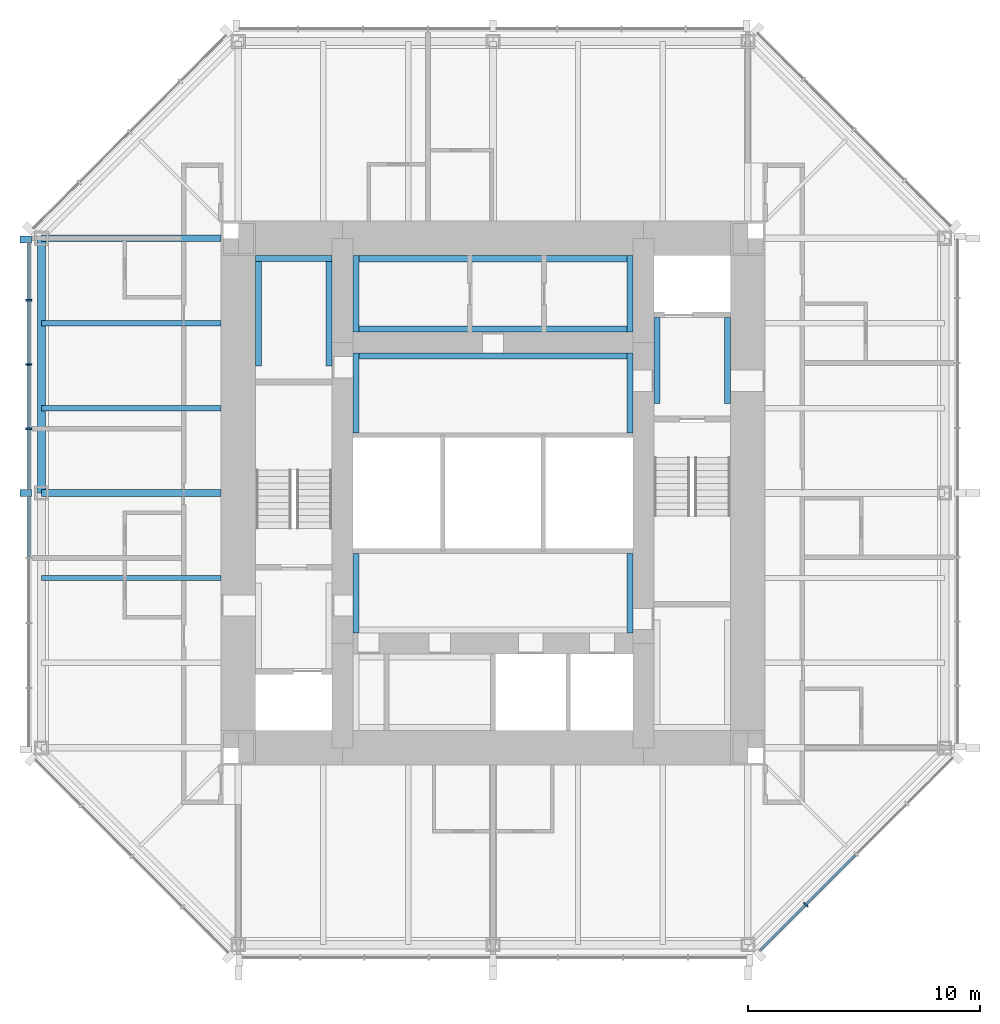
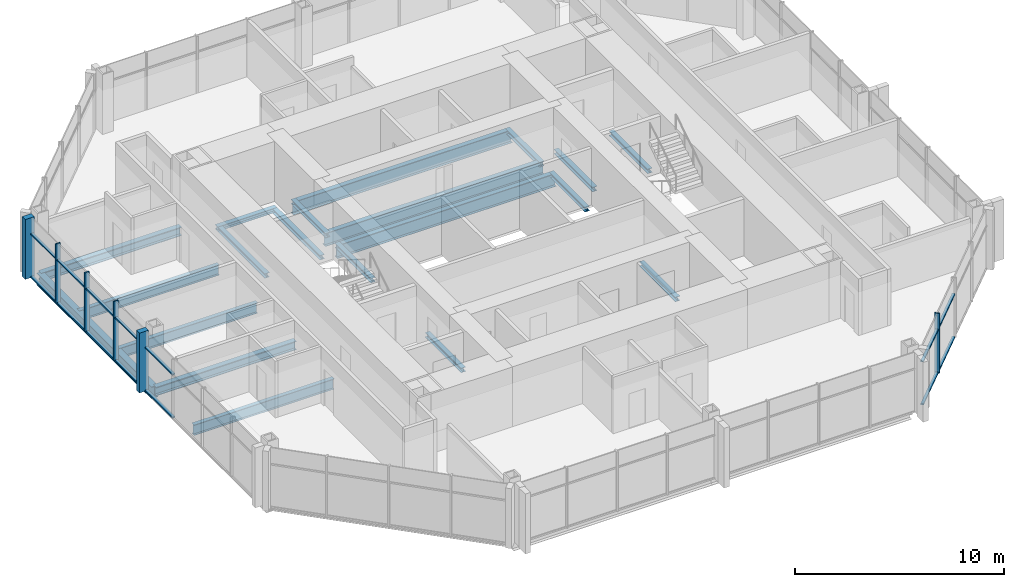
# One storey, part 3 of 11: 20 beams, 20 members, 2 elements without a shape of their own.
"""IFC4 building model written with IfcOpenShell, lengths in metres."""

from ifc_helpers import new_model, si_unit, direction, frame, origin, origin_2d, place, context, subcontext, project, spatial, rectangle, i_section, extrude, material, material_profile, profile_set, type_object, element, aggregate, save


model = new_model("IFC4")

# Units and contexts
model_context = context("Model", 3, precision=1e-05, world=origin(), true_north=direction((0.0, 1.0)))
body_context = subcontext(model_context, "Body", "Model", "MODEL_VIEW")
ifc_project = project(units=[si_unit("LENGTHUNIT", "METRE"), si_unit("AREAUNIT", "SQUARE_METRE"), si_unit("VOLUMEUNIT", "CUBIC_METRE"), si_unit("PLANEANGLEUNIT", "RADIAN"), si_unit("MASSUNIT", "GRAM", prefix="KILO")], contexts=[model_context])

# Site, building, storey
site_placement = place(None, origin())
site = spatial("IfcSite", under=ifc_project, at=site_placement, CompositionType="ELEMENT")
building_placement = place(site_placement, origin())
building = spatial("IfcBuilding", under=site, at=building_placement, Name="Trevanion Tower", CompositionType="ELEMENT")
storey_placement = place(building_placement, frame((0.0, 0.0, 232.699951171875)))
storey = spatial("IfcBuildingStorey", under=building, at=storey_placement, Name="L56", CompositionType="ELEMENT", Elevation=232.699951171875)

# Beams
ifc_material_1 = material(Name="Steel ASTM A992 Grade 50", Category="steel")
ifc_material_profile_1 = material_profile(ifc_material_1, i_section(OverallWidth=0.228271484375, OverallDepth=0.607177734375, WebThickness=0.01123046875, FlangeThickness=0.017333984375, at=origin_2d()), Name="W24X76")
ifc_profile_set_1 = profile_set([ifc_material_profile_1], Name="Steel ASTM A992 Grade 50")
beam_type_1 = type_object("IfcBeamType", Name="B11 W24X76", PredefinedType="BEAM", material=ifc_profile_set_1)
for number, where, z_axis, x_axis, name in (
    (1, (-11.75, 7.333251953125, -0.493408203125), (-1.0, 0.0, 0.0), (0.0, -1.0, 0.0), "B11 L56"),
    (2, (-11.75, 3.666748046875, -0.493408203125), (-1.0, 0.0, 0.0), (0.0, -1.0, 0.0), "B11 L56"),
    (3, (-11.75, -3.666748046875, -0.493408203125), (-1.0, 0.0, 0.0), (0.0, -1.0, 0.0), "B11 L56"),
):
    element("IfcBeam", number, at=place(storey_placement, frame(where, z_axis=z_axis, x_axis=x_axis)), inside=storey, type_object=beam_type_1, Name=name, PredefinedType="BEAM", context=body_context, shape_type="SweptSolid", body=[
        extrude(i_section(OverallWidth=0.228271484375, OverallDepth=0.607177734375, WebThickness=0.01123046875, FlangeThickness=0.017333984375, at=origin_2d()), origin(), (0.0, 0.0, 1.0), 7.75),
    ])

# Curtain wall, members
ifc_material_2 = material(Name="Aluminium and glass", Category="aluminium")
curtain_wall_type = type_object("IfcCurtainWallType", Name="CW3 curtain wall", PredefinedType="USERDEFINED", material=ifc_material_2)
curtain_wall_1_placement = place(storey_placement, origin())
curtain_wall_1 = element("IfcCurtainWall", 4, at=curtain_wall_1_placement, inside=storey, type_object=curtain_wall_type, Name="CW3 L56 4", ObjectType="UNITISED CURTAIN WALL", PredefinedType="USERDEFINED")
ifc_material_3 = material(Name="Aluminium extrusion, anodised bronze", Category="aluminium")
ifc_material_profile_2 = material_profile(ifc_material_3, rectangle(XDim=0.074951171875, YDim=0.25, at=origin_2d()), Name="CW3 mullion")
ifc_profile_set_2 = profile_set([ifc_material_profile_2], Name="Aluminium extrusion, anodised bronze")
member_type_1 = type_object("IfcMemberType", Name="CW3 mullion", PredefinedType="MULLION", material=ifc_profile_set_2)
member_1_placement = place(storey_placement, frame((-20.050048828125, 8.323486328125, -0.18994140625), z_axis=(0.0, 0.0, 1.0), x_axis=(0.0, -1.0, 0.0)))
member_1 = element("IfcMember", 5, at=member_1_placement, type_object=member_type_1, Name="CW3 mullion 2", PredefinedType="MULLION", context=body_context, shape_type="SweptSolid", body=[
    extrude(rectangle(XDim=0.074951171875, YDim=0.25, at=origin_2d()), origin(), (0.0, 0.0, 1.0), 3.5),
])
member_2_placement = place(storey_placement, frame((-20.050048828125, 5.548828125, -0.18994140625), z_axis=(0.0, 0.0, 1.0), x_axis=(0.0, -1.0, 0.0)))
member_2 = element("IfcMember", 6, at=member_2_placement, type_object=member_type_1, Name="CW3 mullion 3", PredefinedType="MULLION", context=body_context, shape_type="SweptSolid", body=[
    extrude(rectangle(XDim=0.074951171875, YDim=0.25, at=origin_2d()), origin(), (0.0, 0.0, 1.0), 3.5),
])
member_3_placement = place(storey_placement, frame((-20.050048828125, 2.7744140625, -0.18994140625), z_axis=(0.0, 0.0, 1.0), x_axis=(0.0, -1.0, 0.0)))
member_3 = element("IfcMember", 7, at=member_3_placement, type_object=member_type_1, Name="CW3 mullion 4", PredefinedType="MULLION", context=body_context, shape_type="SweptSolid", body=[
    extrude(rectangle(XDim=0.074951171875, YDim=0.25, at=origin_2d()), origin(), (0.0, 0.0, 1.0), 3.5),
])

# Curtain wall, member
curtain_wall_2_placement = place(storey_placement, origin())
curtain_wall_2 = element("IfcCurtainWall", 8, at=curtain_wall_2_placement, inside=storey, type_object=curtain_wall_type, Name="CW3 L56 7", ObjectType="UNITISED CURTAIN WALL", PredefinedType="USERDEFINED")
member_4_placement = place(storey_placement, frame((13.502197265625, -17.775390625, -0.18994140625), z_axis=(0.0, 0.0, 1.0), x_axis=(0.707106781187, 0.707106781187, 0.0)))
member_4 = element("IfcMember", 9, at=member_4_placement, type_object=member_type_1, Name="CW3 mullion 2", PredefinedType="MULLION", context=body_context, shape_type="SweptSolid", body=[
    extrude(rectangle(XDim=0.074951171875, YDim=0.25, at=origin_2d()), origin(), (0.0, 0.0, 1.0), 3.5),
])

# Member
ifc_material_4 = material(Name="Aluminium extrusion, anodised bronze", Category="aluminium")
ifc_material_profile_3 = material_profile(ifc_material_4, rectangle(XDim=0.300048828125, YDim=0.5, at=origin_2d()), Name="CW3 pier mullion")
ifc_profile_set_3 = profile_set([ifc_material_profile_3], Name="Aluminium extrusion, anodised bronze")
member_type_2 = type_object("IfcMemberType", Name="CW3 pier mullion", PredefinedType="MULLION", material=ifc_profile_set_3)
member_5_placement = place(storey_placement, frame((-20.175048828125, 10.94775390625, -0.18994140625), z_axis=(0.0, 0.0, 1.0), x_axis=(0.0, -1.0, 0.0)))
member_5 = element("IfcMember", 10, at=member_5_placement, type_object=member_type_2, Name="CW3 pier mullion 1", PredefinedType="MULLION", context=body_context, shape_type="SweptSolid", body=[
    extrude(rectangle(XDim=0.300048828125, YDim=0.5, at=origin_2d()), origin(), (0.0, 0.0, 1.0), 3.5),
])

member_6_placement = place(storey_placement, frame((-20.175048828125, 0.0, -0.18994140625), z_axis=(0.0, 0.0, 1.0), x_axis=(0.0, -1.0, 0.0)))
member_6 = element("IfcMember", 11, at=member_6_placement, type_object=member_type_2, Name="CW3 pier mullion 5", PredefinedType="MULLION", context=body_context, shape_type="SweptSolid", body=[
    extrude(rectangle(XDim=0.300048828125, YDim=0.5, at=origin_2d()), origin(), (0.0, 0.0, 1.0), 3.5),
])

ifc_material_5 = material(Name="Aluminium extrusion, anodised bronze", Category="aluminium")
ifc_material_profile_4 = material_profile(ifc_material_5, rectangle(XDim=0.14990234375, YDim=0.074951171875, at=origin_2d()), Name="CW3 transom")
ifc_profile_set_4 = profile_set([ifc_material_profile_4], Name="Aluminium extrusion, anodised bronze")
member_type_3 = type_object("IfcMemberType", Name="CW3 transom", PredefinedType="USERDEFINED", material=ifc_profile_set_4)
member_7_placement = place(storey_placement, frame((-20.050048828125, 10.7978515625, -0.15234375), z_axis=(0.0, -1.0, 0.0), x_axis=(1.0, 0.0, 0.0)))
member_7 = element("IfcMember", 12, at=member_7_placement, type_object=member_type_3, Name="CW3 transom 1.1", ObjectType="TRANSOM", PredefinedType="USERDEFINED", context=body_context, shape_type="SweptSolid", body=[
    extrude(rectangle(XDim=0.14990234375, YDim=0.074951171875, at=origin_2d()), origin(), (0.0, 0.0, 1.0), 2.43701171875),
])

member_8_placement = place(storey_placement, frame((-20.050048828125, 10.7978515625, 2.360107421875), z_axis=(0.0, -1.0, 0.0), x_axis=(1.0, 0.0, 0.0)))
member_8 = element("IfcMember", 13, at=member_8_placement, type_object=member_type_3, Name="CW3 transom 1.2", ObjectType="TRANSOM", PredefinedType="USERDEFINED", context=body_context, shape_type="SweptSolid", body=[
    extrude(rectangle(XDim=0.14990234375, YDim=0.074951171875, at=origin_2d()), origin(), (0.0, 0.0, 1.0), 2.43701171875),
])

member_9_placement = place(storey_placement, frame((-20.050048828125, 8.285888671875, -0.15234375), z_axis=(0.0, -1.0, 0.0), x_axis=(1.0, 0.0, 0.0)))
member_9 = element("IfcMember", 14, at=member_9_placement, type_object=member_type_3, Name="CW3 transom 2.1", ObjectType="TRANSOM", PredefinedType="USERDEFINED", context=body_context, shape_type="SweptSolid", body=[
    extrude(rectangle(XDim=0.14990234375, YDim=0.074951171875, at=origin_2d()), origin(), (0.0, 0.0, 1.0), 2.699462890625),
])

member_10_placement = place(storey_placement, frame((-20.050048828125, 8.285888671875, 2.360107421875), z_axis=(0.0, -1.0, 0.0), x_axis=(1.0, 0.0, 0.0)))
member_10 = element("IfcMember", 15, at=member_10_placement, type_object=member_type_3, Name="CW3 transom 2.2", ObjectType="TRANSOM", PredefinedType="USERDEFINED", context=body_context, shape_type="SweptSolid", body=[
    extrude(rectangle(XDim=0.14990234375, YDim=0.074951171875, at=origin_2d()), origin(), (0.0, 0.0, 1.0), 2.699462890625),
])

member_11_placement = place(storey_placement, frame((-20.050048828125, 5.511474609375, -0.15234375), z_axis=(0.0, -1.0, 0.0), x_axis=(1.0, 0.0, 0.0)))
member_11 = element("IfcMember", 16, at=member_11_placement, type_object=member_type_3, Name="CW3 transom 3.1", ObjectType="TRANSOM", PredefinedType="USERDEFINED", context=body_context, shape_type="SweptSolid", body=[
    extrude(rectangle(XDim=0.14990234375, YDim=0.074951171875, at=origin_2d()), origin(), (0.0, 0.0, 1.0), 2.699462890625),
])

member_12_placement = place(storey_placement, frame((-20.050048828125, 5.511474609375, 2.360107421875), z_axis=(0.0, -1.0, 0.0), x_axis=(1.0, 0.0, 0.0)))
member_12 = element("IfcMember", 17, at=member_12_placement, type_object=member_type_3, Name="CW3 transom 3.2", ObjectType="TRANSOM", PredefinedType="USERDEFINED", context=body_context, shape_type="SweptSolid", body=[
    extrude(rectangle(XDim=0.14990234375, YDim=0.074951171875, at=origin_2d()), origin(), (0.0, 0.0, 1.0), 2.699462890625),
])

member_13_placement = place(storey_placement, frame((-20.050048828125, 2.737060546875, -0.15234375), z_axis=(0.0, -1.0, 0.0), x_axis=(1.0, 0.0, 0.0)))
member_13 = element("IfcMember", 18, at=member_13_placement, type_object=member_type_3, Name="CW3 transom 4.1", ObjectType="TRANSOM", PredefinedType="USERDEFINED", context=body_context, shape_type="SweptSolid", body=[
    extrude(rectangle(XDim=0.14990234375, YDim=0.074951171875, at=origin_2d()), origin(), (0.0, 0.0, 1.0), 2.587158203125),
])

member_14_placement = place(storey_placement, frame((-20.050048828125, 2.737060546875, 2.360107421875), z_axis=(0.0, -1.0, 0.0), x_axis=(1.0, 0.0, 0.0)))
member_14 = element("IfcMember", 19, at=member_14_placement, type_object=member_type_3, Name="CW3 transom 4.2", ObjectType="TRANSOM", PredefinedType="USERDEFINED", context=body_context, shape_type="SweptSolid", body=[
    extrude(rectangle(XDim=0.14990234375, YDim=0.074951171875, at=origin_2d()), origin(), (0.0, 0.0, 1.0), 2.587158203125),
])

member_15_placement = place(storey_placement, frame((-20.050048828125, -0.14990234375, -0.15234375), z_axis=(0.0, -1.0, 0.0), x_axis=(1.0, 0.0, 0.0)))
member_15 = element("IfcMember", 20, at=member_15_placement, type_object=member_type_3, Name="CW3 transom 5.1", ObjectType="TRANSOM", PredefinedType="USERDEFINED", context=body_context, shape_type="SweptSolid", body=[
    extrude(rectangle(XDim=0.14990234375, YDim=0.074951171875, at=origin_2d()), origin(), (0.0, 0.0, 1.0), 2.619384765625),
])

member_16_placement = place(storey_placement, frame((-20.050048828125, -0.14990234375, 2.360107421875), z_axis=(0.0, -1.0, 0.0), x_axis=(1.0, 0.0, 0.0)))
member_16 = element("IfcMember", 21, at=member_16_placement, type_object=member_type_3, Name="CW3 transom 5.2", ObjectType="TRANSOM", PredefinedType="USERDEFINED", context=body_context, shape_type="SweptSolid", body=[
    extrude(rectangle(XDim=0.14990234375, YDim=0.074951171875, at=origin_2d()), origin(), (0.0, 0.0, 1.0), 2.619384765625),
])

aggregate(curtain_wall_1, [member_5, member_1, member_2, member_3, member_6, member_7, member_8, member_9, member_10, member_11, member_12, member_13, member_14, member_15, member_16])

member_17_placement = place(storey_placement, frame((11.531982421875, -19.745849609375, -0.15234375), z_axis=(0.707106781187, 0.707106781187, 0.0), x_axis=(-0.707106781187, 0.707106781187, 0.0)))
member_17 = element("IfcMember", 22, at=member_17_placement, type_object=member_type_3, Name="CW3 transom 1.1", ObjectType="TRANSOM", PredefinedType="USERDEFINED", context=body_context, shape_type="SweptSolid", body=[
    extrude(rectangle(XDim=0.14990234375, YDim=0.074951171875, at=origin_2d()), origin(), (0.0, 0.0, 1.0), 2.7490234375),
])

member_18_placement = place(storey_placement, frame((11.531982421875, -19.745849609375, 2.360107421875), z_axis=(0.707106781187, 0.707106781187, 0.0), x_axis=(-0.707106781187, 0.707106781187, 0.0)))
member_18 = element("IfcMember", 23, at=member_18_placement, type_object=member_type_3, Name="CW3 transom 1.2", ObjectType="TRANSOM", PredefinedType="USERDEFINED", context=body_context, shape_type="SweptSolid", body=[
    extrude(rectangle(XDim=0.14990234375, YDim=0.074951171875, at=origin_2d()), origin(), (0.0, 0.0, 1.0), 2.7490234375),
])

member_19_placement = place(storey_placement, frame((13.52880859375, -17.7490234375, -0.15234375), z_axis=(0.707106781187, 0.707106781187, 0.0), x_axis=(-0.707106781187, 0.707106781187, 0.0)))
member_19 = element("IfcMember", 24, at=member_19_placement, type_object=member_type_3, Name="CW3 transom 2.1", ObjectType="TRANSOM", PredefinedType="USERDEFINED", context=body_context, shape_type="SweptSolid", body=[
    extrude(rectangle(XDim=0.14990234375, YDim=0.074951171875, at=origin_2d()), origin(), (0.0, 0.0, 1.0), 3.01171875),
])

member_20_placement = place(storey_placement, frame((13.52880859375, -17.7490234375, 2.360107421875), z_axis=(0.707106781187, 0.707106781187, 0.0), x_axis=(-0.707106781187, 0.707106781187, 0.0)))
member_20 = element("IfcMember", 25, at=member_20_placement, type_object=member_type_3, Name="CW3 transom 2.2", ObjectType="TRANSOM", PredefinedType="USERDEFINED", context=body_context, shape_type="SweptSolid", body=[
    extrude(rectangle(XDim=0.14990234375, YDim=0.074951171875, at=origin_2d()), origin(), (0.0, 0.0, 1.0), 3.01171875),
])

aggregate(curtain_wall_2, [member_4, member_17, member_18, member_19, member_20])

# Beams
ifc_material_6 = material(Name="Steel ASTM A992 Grade 50", Category="steel")
ifc_material_profile_5 = material_profile(ifc_material_6, i_section(OverallWidth=0.28955078125, OverallDepth=0.508056640625, WebThickness=0.022705078125, FlangeThickness=0.040283203125, at=origin_2d()), Name="W18X175")
ifc_profile_set_5 = profile_set([ifc_material_profile_5], Name="Steel ASTM A992 Grade 50")
beam_type_2 = type_object("IfcBeamType", Name="G6 W18X175", PredefinedType="BEAM", material=ifc_profile_set_5)
for number, where, z_axis, x_axis, name in (
    (26, (-11.75, 11.0, -0.44384765625), (-1.0, 0.0, 0.0), (0.0, -1.0, 0.0), "G6 L56"),
    (27, (-11.75, 0.0, -0.44384765625), (-1.0, 0.0, 0.0), (0.0, -1.0, 0.0), "G6 L56"),
):
    element("IfcBeam", number, at=place(storey_placement, frame(where, z_axis=z_axis, x_axis=x_axis)), inside=storey, type_object=beam_type_2, Name=name, PredefinedType="BEAM", context=body_context, shape_type="SweptSolid", body=[
        extrude(i_section(OverallWidth=0.28955078125, OverallDepth=0.508056640625, WebThickness=0.022705078125, FlangeThickness=0.040283203125, at=origin_2d()), origin(), (0.0, 0.0, 1.0), 7.75),
    ])
ifc_material_7 = material(Name="Steel ASTM A992 Grade 50", Category="steel")
ifc_material_profile_6 = material_profile(ifc_material_7, i_section(OverallWidth=0.256591796875, OverallDepth=0.26416015625, WebThickness=0.011962890625, FlangeThickness=0.01953125, at=origin_2d()), Name="W10X68")
ifc_profile_set_6 = profile_set([ifc_material_profile_6], Name="Steel ASTM A992 Grade 50")
beam_type_3 = type_object("IfcBeamType", Name="LB1 W10X68", PredefinedType="BEAM", material=ifc_profile_set_6)
for number, where, z_axis, x_axis, name in (
    (28, (-5.921630859375, 2.60009765625, -0.33203125), (0.0, 1.0, 0.0), (-1.0, 0.0, 0.0), "LB1 L56"),
    (29, (5.921630859375, 2.60009765625, -0.33203125), (0.0, 1.0, 0.0), (-1.0, 0.0, 0.0), "LB1 L56"),
    (30, (-5.921630859375, -6.050048828125, -0.33203125), (0.0, 1.0, 0.0), (-1.0, 0.0, 0.0), "LB1 L56"),
    (31, (5.921630859375, -6.050048828125, -0.33203125), (0.0, 1.0, 0.0), (-1.0, 0.0, 0.0), "LB1 L56"),
):
    element("IfcBeam", number, at=place(storey_placement, frame(where, z_axis=z_axis, x_axis=x_axis)), inside=storey, type_object=beam_type_3, Name=name, PredefinedType="BEAM", context=body_context, shape_type="SweptSolid", body=[
        extrude(i_section(OverallWidth=0.256591796875, OverallDepth=0.26416015625, WebThickness=0.011962890625, FlangeThickness=0.01953125, at=origin_2d()), origin(), (0.0, 0.0, 1.0), 3.449951171875),
    ])
for number, where, z_axis, x_axis, name in (
    (32, (7.078369140625, 3.875, -0.33203125), (0.0, 1.0, 0.0), (-1.0, 0.0, 0.0), "LB1 L56"),
    (33, (10.12158203125, 3.875, -0.33203125), (0.0, 1.0, 0.0), (-1.0, 0.0, 0.0), "LB1 L56"),
):
    element("IfcBeam", number, at=place(storey_placement, frame(where, z_axis=z_axis, x_axis=x_axis)), inside=storey, type_object=beam_type_3, Name=name, PredefinedType="BEAM", context=body_context, shape_type="SweptSolid", body=[
        extrude(i_section(OverallWidth=0.256591796875, OverallDepth=0.26416015625, WebThickness=0.011962890625, FlangeThickness=0.01953125, at=origin_2d()), origin(), (0.0, 0.0, 1.0), 3.699951171875),
    ])
for number, where, z_axis, x_axis, name in (
    (34, (-10.12158203125, 5.47509765625, -0.33203125), (0.0, 1.0, 0.0), (-1.0, 0.0, 0.0), "LB1 L56"),
    (35, (-7.078369140625, 5.47509765625, -0.33203125), (0.0, 1.0, 0.0), (-1.0, 0.0, 0.0), "LB1 L56"),
):
    element("IfcBeam", number, at=place(storey_placement, frame(where, z_axis=z_axis, x_axis=x_axis)), inside=storey, type_object=beam_type_3, Name=name, PredefinedType="BEAM", context=body_context, shape_type="SweptSolid", body=[
        extrude(i_section(OverallWidth=0.256591796875, OverallDepth=0.26416015625, WebThickness=0.011962890625, FlangeThickness=0.01953125, at=origin_2d()), origin(), (0.0, 0.0, 1.0), 4.77490234375),
    ])
for number, where, z_axis, x_axis, name in (
    (36, (-10.25, 10.12158203125, -0.33203125), (1.0, 0.0, 0.0), (0.0, 1.0, 0.0), "LB1 L56"),
    (37, (-5.921630859375, 6.949951171875, -0.33203125), (0.0, 1.0, 0.0), (-1.0, 0.0, 0.0), "LB1 L56"),
    (38, (5.921630859375, 6.949951171875, -0.33203125), (0.0, 1.0, 0.0), (-1.0, 0.0, 0.0), "LB1 L56"),
):
    element("IfcBeam", number, at=place(storey_placement, frame(where, z_axis=z_axis, x_axis=x_axis)), inside=storey, type_object=beam_type_3, Name=name, PredefinedType="BEAM", context=body_context, shape_type="SweptSolid", body=[
        extrude(i_section(OverallWidth=0.256591796875, OverallDepth=0.26416015625, WebThickness=0.011962890625, FlangeThickness=0.01953125, at=origin_2d()), origin(), (0.0, 0.0, 1.0), 3.300048828125),
    ])
ifc_material_8 = material(Name="Steel ASTM A992 Grade 50", Category="steel")
ifc_material_profile_7 = material_profile(ifc_material_8, i_section(OverallWidth=0.2666015625, OverallDepth=0.76953125, WebThickness=0.015625, FlangeThickness=0.025390625, at=origin_2d()), Name="W30X132")
ifc_profile_set_7 = profile_set([ifc_material_profile_7], Name="Steel ASTM A992 Grade 50")
beam_type_4 = type_object("IfcBeamType", Name="LB3 W30X132", PredefinedType="BEAM", material=ifc_profile_set_7)
for number, where, z_axis, x_axis, name in (
    (39, (-6.050048828125, 5.91650390625, -0.584716796875), (1.0, 0.0, 0.0), (0.0, 1.0, 0.0), "LB3 L56"),
    (40, (-6.050048828125, 7.08349609375, -0.584716796875), (1.0, 0.0, 0.0), (0.0, 1.0, 0.0), "LB3 L56"),
    (41, (-6.050048828125, 10.11669921875, -0.584716796875), (1.0, 0.0, 0.0), (0.0, 1.0, 0.0), "LB3 L56"),
):
    element("IfcBeam", number, at=place(storey_placement, frame(where, z_axis=z_axis, x_axis=x_axis)), inside=storey, type_object=beam_type_4, Name=name, PredefinedType="BEAM", context=body_context, shape_type="SweptSolid", body=[
        extrude(i_section(OverallWidth=0.2666015625, OverallDepth=0.76953125, WebThickness=0.015625, FlangeThickness=0.025390625, at=origin_2d()), origin(), (0.0, 0.0, 1.0), 12.10009765625),
    ])
ifc_material_9 = material(Name="Steel ASTM A992 Grade 50", Category="steel")
ifc_material_profile_8 = material_profile(ifc_material_9, i_section(OverallWidth=0.355712890625, OverallDepth=0.696044921875, WebThickness=0.015380859375, FlangeThickness=0.024658203125, at=origin_2d()), Name="W27X146")
ifc_profile_set_8 = profile_set([ifc_material_profile_8], Name="Steel ASTM A992 Grade 50")
beam_type_5 = type_object("IfcBeamType", Name="SB8 W27X146", PredefinedType="SPANDREL", material=ifc_profile_set_8)
beam_placement = place(storey_placement, frame((-19.5, 11.0, -0.537841796875), z_axis=(0.0, -1.0, 0.0), x_axis=(1.0, 0.0, 0.0)))
element("IfcBeam", 42, at=beam_placement, inside=storey, type_object=beam_type_5, Name="SB8 L56", PredefinedType="SPANDREL", context=body_context, shape_type="SweptSolid", body=[
    extrude(i_section(OverallWidth=0.355712890625, OverallDepth=0.696044921875, WebThickness=0.015380859375, FlangeThickness=0.024658203125, at=origin_2d()), origin(), (0.0, 0.0, 1.0), 11.0),
])

save(model, "model.ifc")
